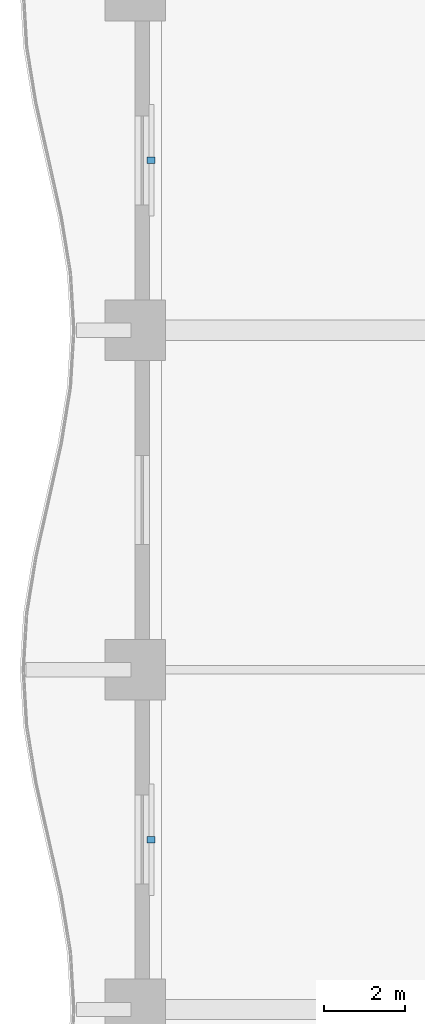
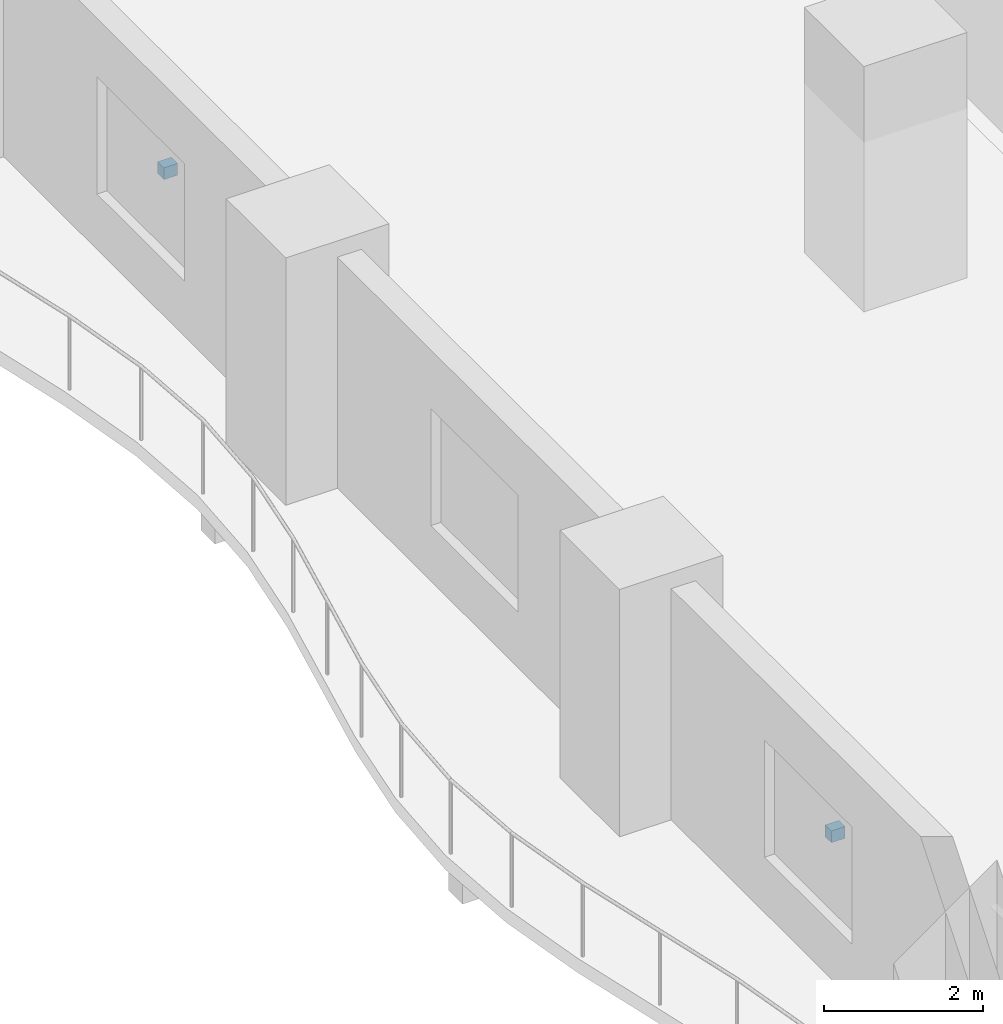
# One storey, part 21 of 27: 2 discrete accessories.
"""IFC4 building model written with IfcOpenShell, lengths in metres."""

from ifc_helpers import new_model, si_unit, direction, frame, origin, origin_2d, place, context, subcontext, project, spatial, rectangle, extrude, material, type_object, element, save


model = new_model("IFC4")

# Units and contexts
model_context = context("Model", 3, precision=1e-05, world=origin(), true_north=direction((0.0, 1.0)))
body_context = subcontext(model_context, "Body", "Model", "MODEL_VIEW")
ifc_project = project(units=[si_unit("LENGTHUNIT", "METRE"), si_unit("AREAUNIT", "SQUARE_METRE"), si_unit("VOLUMEUNIT", "CUBIC_METRE"), si_unit("PLANEANGLEUNIT", "RADIAN"), si_unit("MASSUNIT", "GRAM", prefix="KILO")], contexts=[model_context])

# Site, building, storey
site_placement = place(None, origin())
site = spatial("IfcSite", under=ifc_project, at=site_placement, CompositionType="ELEMENT")
building_placement = place(site_placement, origin())
building = spatial("IfcBuilding", under=site, at=building_placement, Name="Koriwani Terraces Tower", CompositionType="ELEMENT")
storey_placement = place(building_placement, frame((0.0, 0.0, 54.800048828125)))
storey = spatial("IfcBuildingStorey", under=building, at=storey_placement, Name="L12", CompositionType="ELEMENT", Elevation=54.800048828125)

# Discrete accessories
ifc_material = material(Name="Steel ASTM A572 Grade 50", Category="steel")
discrete_accessory_type = type_object("IfcDiscreteAccessoryType", Name="BAGUETTE_STANDOFF_BRACKET", PredefinedType="BRACKET", material=ifc_material)
for number, where, z_axis, x_axis, name in (
    (1, (0.389892578125, 63.0, 1.68505859375), (0.0, 0.0, 1.0), (0.0, 1.0, 0.0), "L12 Terracotta Baguette Bracket (W-21)"),
    (2, (0.389892578125, 79.800048828125, 1.68505859375), (0.0, 0.0, 1.0), (0.0, 1.0, 0.0), "L12 Terracotta Baguette Bracket (W-27)"),
):
    element("IfcDiscreteAccessory", number, at=place(storey_placement, frame(where, z_axis=z_axis, x_axis=x_axis)), inside=storey, type_object=discrete_accessory_type, Name=name, PredefinedType="BRACKET", context=body_context, shape_type="SweptSolid", body=[
        extrude(rectangle(XDim=0.159912109375, YDim=0.199951171875, at=origin_2d()), origin(), (0.0, 0.0, 1.0), 0.179931640625),
    ])

save(model, "model.ifc")
